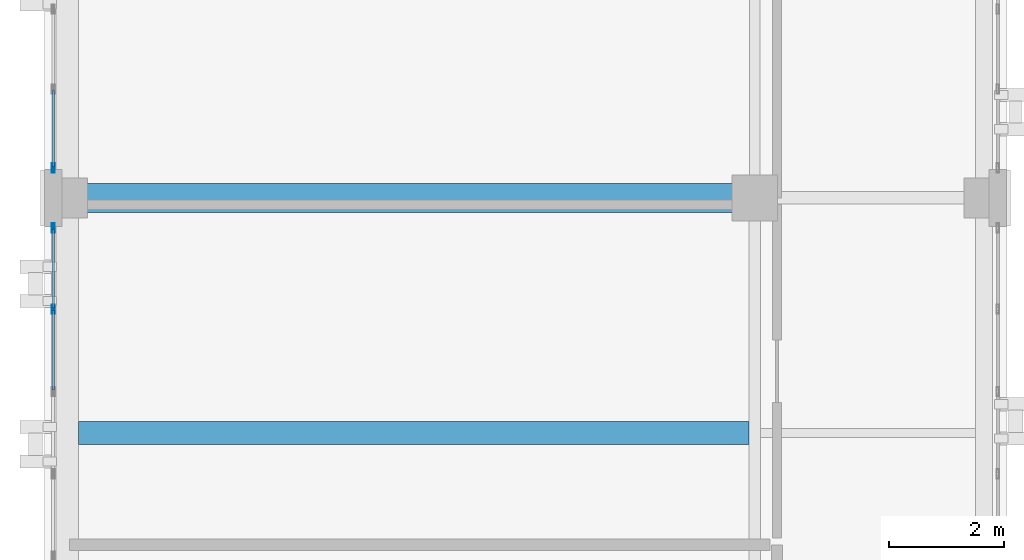
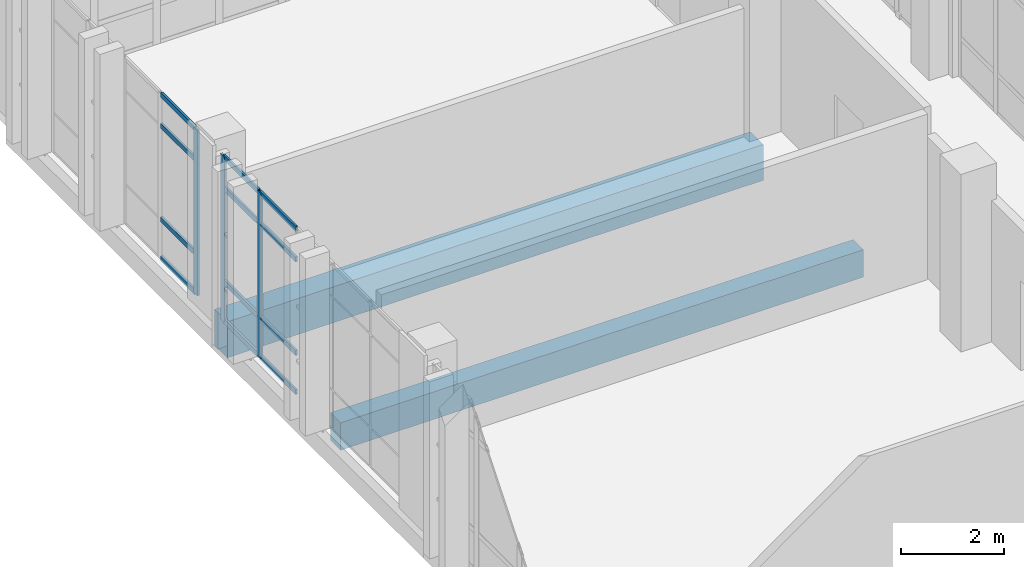
# One storey, part 78 of 193: 15 members, 2 beams, 2 elements without a shape of their own.
"""IFC4 building model written with IfcOpenShell, lengths in metres."""

from ifc_helpers import new_model, si_unit, direction, frame, origin, origin_2d, place, context, subcontext, project, spatial, rectangle, hollow_rectangle, extrude, material, layer, layer_set, material_profile, profile_set, type_object, element, aggregate, save


model = new_model("IFC4")

# Units and contexts
model_context = context("Model", 3, precision=1e-05, world=origin(), true_north=direction((0.0, 1.0)))
body_context = subcontext(model_context, "Body", "Model", "MODEL_VIEW")
ifc_project = project(units=[si_unit("LENGTHUNIT", "METRE"), si_unit("AREAUNIT", "SQUARE_METRE"), si_unit("VOLUMEUNIT", "CUBIC_METRE"), si_unit("PLANEANGLEUNIT", "RADIAN"), si_unit("MASSUNIT", "GRAM", prefix="KILO")], contexts=[model_context])

# Site, building, storey
site_placement = place(None, origin())
site = spatial("IfcSite", under=ifc_project, at=site_placement, CompositionType="ELEMENT")
building_placement = place(site_placement, origin())
building = spatial("IfcBuilding", under=site, at=building_placement, Name="Qalavern Law Courts", CompositionType="ELEMENT")
storey_placement = place(building_placement, frame((0.0, 0.0, 10.199951171875)))
storey = spatial("IfcBuildingStorey", under=building, at=storey_placement, Name="L02", CompositionType="ELEMENT", Elevation=10.199951171875)

# Curtain wall, member
ifc_material_1 = material(Name="Anodised aluminium and insulated glazing", Category="aluminium")
ifc_layer = layer(ifc_material_1, 0.172119140625)
ifc_layer_set = layer_set([ifc_layer], Name="Anodised aluminium and insulated glazing")
curtain_wall_type = type_object("IfcCurtainWallType", Name="ENV-CW-COURT", PredefinedType="USERDEFINED", material=ifc_layer_set)
curtain_wall_1_placement = place(storey_placement, origin())
curtain_wall_1 = element("IfcCurtainWall", 1, at=curtain_wall_1_placement, inside=storey, type_object=curtain_wall_type, Name="V3 unitised curtain wall L02 west 1", ObjectType="UNITISED CURTAIN WALL", PredefinedType="USERDEFINED")
ifc_material_2 = material(Name="Anodised aluminium", Category="aluminium")
ifc_material_profile_1 = material_profile(ifc_material_2, hollow_rectangle(XDim=0.048095703125, YDim=0.159912109375, WallThickness=0.00390625, at=origin_2d()), Name="ALU MULLION 48x160")
ifc_profile_set_1 = profile_set([ifc_material_profile_1], Name="Anodised aluminium")
member_type_1 = type_object("IfcMemberType", Name="ENV-CWM-48x160", PredefinedType="MULLION", material=ifc_profile_set_1)
member_1_placement = place(storey_placement, frame((2.155029296875, 88.1240234375, 0.0), z_axis=(0.0, 0.0, 1.0), x_axis=(1.0, 0.0, 0.0)))
member_1 = element("IfcMember", 2, at=member_1_placement, type_object=member_type_1, Name="CW-03 mullion 6", PredefinedType="MULLION", context=body_context, shape_type="SweptSolid", body=[
    extrude(hollow_rectangle(XDim=0.048095703125, YDim=0.159912109375, WallThickness=0.00390625, at=origin_2d()), origin(), (0.0, 0.0, 1.0), 3.9150390625),
])

# Curtain wall, members
curtain_wall_2_placement = place(storey_placement, origin())
curtain_wall_2 = element("IfcCurtainWall", 3, at=curtain_wall_2_placement, inside=storey, type_object=curtain_wall_type, Name="V3 unitised curtain wall L02 west 2", ObjectType="UNITISED CURTAIN WALL", PredefinedType="USERDEFINED")
member_2_placement = place(storey_placement, frame((2.155029296875, 87.075927734375, 0.0), z_axis=(0.0, 0.0, 1.0), x_axis=(1.0, 0.0, 0.0)))
member_2 = element("IfcMember", 4, at=member_2_placement, type_object=member_type_1, Name="CW-03 mullion 1", PredefinedType="MULLION", context=body_context, shape_type="SweptSolid", body=[
    extrude(hollow_rectangle(XDim=0.048095703125, YDim=0.159912109375, WallThickness=0.00390625, at=origin_2d()), origin(), (0.0, 0.0, 1.0), 3.9150390625),
])
member_3_placement = place(storey_placement, frame((2.155029296875, 85.659912109375, 0.0), z_axis=(0.0, 0.0, 1.0), x_axis=(1.0, 0.0, 0.0)))
member_3 = element("IfcMember", 5, at=member_3_placement, type_object=member_type_1, Name="CW-03 mullion 2", PredefinedType="MULLION", context=body_context, shape_type="SweptSolid", body=[
    extrude(hollow_rectangle(XDim=0.048095703125, YDim=0.159912109375, WallThickness=0.00390625, at=origin_2d()), origin(), (0.0, 0.0, 1.0), 3.9150390625),
])

# Member
ifc_material_profile_2 = material_profile(ifc_material_2, hollow_rectangle(XDim=0.048095703125, YDim=0.1201171875, WallThickness=0.00390625, at=origin_2d()), Name="ALU TRANSOM 48x120")
ifc_profile_set_2 = profile_set([ifc_material_profile_2], Name="Anodised aluminium")
member_type_2 = type_object("IfcMemberType", Name="ENV-CWT-48x120", PredefinedType="USERDEFINED", material=ifc_profile_set_2)
member_4_placement = place(storey_placement, frame((2.155029296875, 89.471923828125, 0.024169921875), z_axis=(0.0, -1.0, 0.0), x_axis=(1.0, 0.0, 0.0)))
member_4 = element("IfcMember", 6, at=member_4_placement, type_object=member_type_2, Name="CW-03 transom 5.1", ObjectType="TRANSOM", PredefinedType="USERDEFINED", context=body_context, shape_type="SweptSolid", body=[
    extrude(hollow_rectangle(XDim=0.048095703125, YDim=0.1201171875, WallThickness=0.00390625, at=origin_2d()), origin(), (0.0, 0.0, 1.0), 1.323974609375),
])

member_5_placement = place(storey_placement, frame((2.155029296875, 89.471923828125, 0.949951171875), z_axis=(0.0, -1.0, 0.0), x_axis=(1.0, 0.0, 0.0)))
member_5 = element("IfcMember", 7, at=member_5_placement, type_object=member_type_2, Name="CW-03 transom 5.2", ObjectType="TRANSOM", PredefinedType="USERDEFINED", context=body_context, shape_type="SweptSolid", body=[
    extrude(hollow_rectangle(XDim=0.048095703125, YDim=0.1201171875, WallThickness=0.00390625, at=origin_2d()), origin(), (0.0, 0.0, 1.0), 1.323974609375),
])

member_6_placement = place(storey_placement, frame((2.155029296875, 89.471923828125, 3.1650390625), z_axis=(0.0, -1.0, 0.0), x_axis=(1.0, 0.0, 0.0)))
member_6 = element("IfcMember", 8, at=member_6_placement, type_object=member_type_2, Name="CW-03 transom 5.3", ObjectType="TRANSOM", PredefinedType="USERDEFINED", context=body_context, shape_type="SweptSolid", body=[
    extrude(hollow_rectangle(XDim=0.048095703125, YDim=0.1201171875, WallThickness=0.00390625, at=origin_2d()), origin(), (0.0, 0.0, 1.0), 1.323974609375),
])

member_7_placement = place(storey_placement, frame((2.155029296875, 89.471923828125, 3.89111328125), z_axis=(0.0, -1.0, 0.0), x_axis=(1.0, 0.0, 0.0)))
member_7 = element("IfcMember", 9, at=member_7_placement, type_object=member_type_2, Name="CW-03 transom 5.4", ObjectType="TRANSOM", PredefinedType="USERDEFINED", context=body_context, shape_type="SweptSolid", body=[
    extrude(hollow_rectangle(XDim=0.048095703125, YDim=0.1201171875, WallThickness=0.00390625, at=origin_2d()), origin(), (0.0, 0.0, 1.0), 1.323974609375),
])

aggregate(curtain_wall_1, [member_1, member_4, member_5, member_6, member_7])

member_8_placement = place(storey_placement, frame((2.155029296875, 87.052001953125, 0.024169921875), z_axis=(0.0, -1.0, 0.0), x_axis=(1.0, 0.0, 0.0)))
member_8 = element("IfcMember", 10, at=member_8_placement, type_object=member_type_2, Name="CW-03 transom 1.1", ObjectType="TRANSOM", PredefinedType="USERDEFINED", context=body_context, shape_type="SweptSolid", body=[
    extrude(hollow_rectangle(XDim=0.048095703125, YDim=0.1201171875, WallThickness=0.00390625, at=origin_2d()), origin(), (0.0, 0.0, 1.0), 1.367919921875),
])

member_9_placement = place(storey_placement, frame((2.155029296875, 87.052001953125, 0.949951171875), z_axis=(0.0, -1.0, 0.0), x_axis=(1.0, 0.0, 0.0)))
member_9 = element("IfcMember", 11, at=member_9_placement, type_object=member_type_2, Name="CW-03 transom 1.2", ObjectType="TRANSOM", PredefinedType="USERDEFINED", context=body_context, shape_type="SweptSolid", body=[
    extrude(hollow_rectangle(XDim=0.048095703125, YDim=0.1201171875, WallThickness=0.00390625, at=origin_2d()), origin(), (0.0, 0.0, 1.0), 1.367919921875),
])

member_10_placement = place(storey_placement, frame((2.155029296875, 87.052001953125, 3.1650390625), z_axis=(0.0, -1.0, 0.0), x_axis=(1.0, 0.0, 0.0)))
member_10 = element("IfcMember", 12, at=member_10_placement, type_object=member_type_2, Name="CW-03 transom 1.3", ObjectType="TRANSOM", PredefinedType="USERDEFINED", context=body_context, shape_type="SweptSolid", body=[
    extrude(hollow_rectangle(XDim=0.048095703125, YDim=0.1201171875, WallThickness=0.00390625, at=origin_2d()), origin(), (0.0, 0.0, 1.0), 1.367919921875),
])

member_11_placement = place(storey_placement, frame((2.155029296875, 87.052001953125, 3.89111328125), z_axis=(0.0, -1.0, 0.0), x_axis=(1.0, 0.0, 0.0)))
member_11 = element("IfcMember", 13, at=member_11_placement, type_object=member_type_2, Name="CW-03 transom 1.4", ObjectType="TRANSOM", PredefinedType="USERDEFINED", context=body_context, shape_type="SweptSolid", body=[
    extrude(hollow_rectangle(XDim=0.048095703125, YDim=0.1201171875, WallThickness=0.00390625, at=origin_2d()), origin(), (0.0, 0.0, 1.0), 1.367919921875),
])

member_12_placement = place(storey_placement, frame((2.155029296875, 85.635986328125, 0.024169921875), z_axis=(0.0, -1.0, 0.0), x_axis=(1.0, 0.0, 0.0)))
member_12 = element("IfcMember", 14, at=member_12_placement, type_object=member_type_2, Name="CW-03 transom 2.1", ObjectType="TRANSOM", PredefinedType="USERDEFINED", context=body_context, shape_type="SweptSolid", body=[
    extrude(hollow_rectangle(XDim=0.048095703125, YDim=0.1201171875, WallThickness=0.00390625, at=origin_2d()), origin(), (0.0, 0.0, 1.0), 1.39208984375),
])

member_13_placement = place(storey_placement, frame((2.155029296875, 85.635986328125, 0.949951171875), z_axis=(0.0, -1.0, 0.0), x_axis=(1.0, 0.0, 0.0)))
member_13 = element("IfcMember", 15, at=member_13_placement, type_object=member_type_2, Name="CW-03 transom 2.2", ObjectType="TRANSOM", PredefinedType="USERDEFINED", context=body_context, shape_type="SweptSolid", body=[
    extrude(hollow_rectangle(XDim=0.048095703125, YDim=0.1201171875, WallThickness=0.00390625, at=origin_2d()), origin(), (0.0, 0.0, 1.0), 1.39208984375),
])

member_14_placement = place(storey_placement, frame((2.155029296875, 85.635986328125, 3.1650390625), z_axis=(0.0, -1.0, 0.0), x_axis=(1.0, 0.0, 0.0)))
member_14 = element("IfcMember", 16, at=member_14_placement, type_object=member_type_2, Name="CW-03 transom 2.3", ObjectType="TRANSOM", PredefinedType="USERDEFINED", context=body_context, shape_type="SweptSolid", body=[
    extrude(hollow_rectangle(XDim=0.048095703125, YDim=0.1201171875, WallThickness=0.00390625, at=origin_2d()), origin(), (0.0, 0.0, 1.0), 1.39208984375),
])

member_15_placement = place(storey_placement, frame((2.155029296875, 85.635986328125, 3.89111328125), z_axis=(0.0, -1.0, 0.0), x_axis=(1.0, 0.0, 0.0)))
member_15 = element("IfcMember", 17, at=member_15_placement, type_object=member_type_2, Name="CW-03 transom 2.4", ObjectType="TRANSOM", PredefinedType="USERDEFINED", context=body_context, shape_type="SweptSolid", body=[
    extrude(hollow_rectangle(XDim=0.048095703125, YDim=0.1201171875, WallThickness=0.00390625, at=origin_2d()), origin(), (0.0, 0.0, 1.0), 1.39208984375),
])

aggregate(curtain_wall_2, [member_2, member_3, member_8, member_9, member_10, member_11, member_12, member_13, member_14, member_15])

# Beams
ifc_material_3 = material(Name="Concrete C40/50", Category="concrete")
ifc_material_profile_3 = material_profile(ifc_material_3, rectangle(XDim=0.5, YDim=0.85009765625, at=origin_2d()), Name="RC 500x850")
ifc_profile_set_3 = profile_set([ifc_material_profile_3], Name="Concrete C40/50")
beam_type_1 = type_object("IfcBeamType", Name="STR-BM-RC500x850", PredefinedType="BEAM", material=ifc_profile_set_3)
beam_1_placement = place(storey_placement, frame((2.39990234375, 87.60009765625, -0.71484375), z_axis=(1.0, 0.0, 0.0), x_axis=(0.0, 1.0, 0.0)))
element("IfcBeam", 18, at=beam_1_placement, inside=storey, type_object=beam_type_1, Name="V3 X-beam 7-1 L02", PredefinedType="BEAM", context=body_context, shape_type="SweptSolid", body=[
    extrude(rectangle(XDim=0.5, YDim=0.85009765625, at=origin_2d()), origin(), (0.0, 0.0, 1.0), 12.0),
])
ifc_material_4 = material(Name="Concrete C35/45", Category="concrete")
ifc_material_profile_4 = material_profile(ifc_material_4, rectangle(XDim=0.39990234375, YDim=0.64990234375, at=origin_2d()), Name="RC 400x650")
ifc_profile_set_4 = profile_set([ifc_material_profile_4], Name="Concrete C35/45")
beam_type_2 = type_object("IfcBeamType", Name="STR-JST-RC400x650", PredefinedType="JOIST", material=ifc_profile_set_4)
beam_2_placement = place(storey_placement, frame((2.597900390625, 83.5, -0.614990234375), z_axis=(1.0, 0.0, 0.0), x_axis=(0.0, 1.0, 0.0)))
element("IfcBeam", 19, at=beam_2_placement, inside=storey, type_object=beam_type_2, Name="V3 secondary joist 1.6.1 L02", PredefinedType="JOIST", context=body_context, shape_type="SweptSolid", body=[
    extrude(rectangle(XDim=0.39990234375, YDim=0.64990234375, at=origin_2d()), origin(), (0.0, 0.0, 1.0), 11.7041015625),
])

save(model, "model.ifc")
